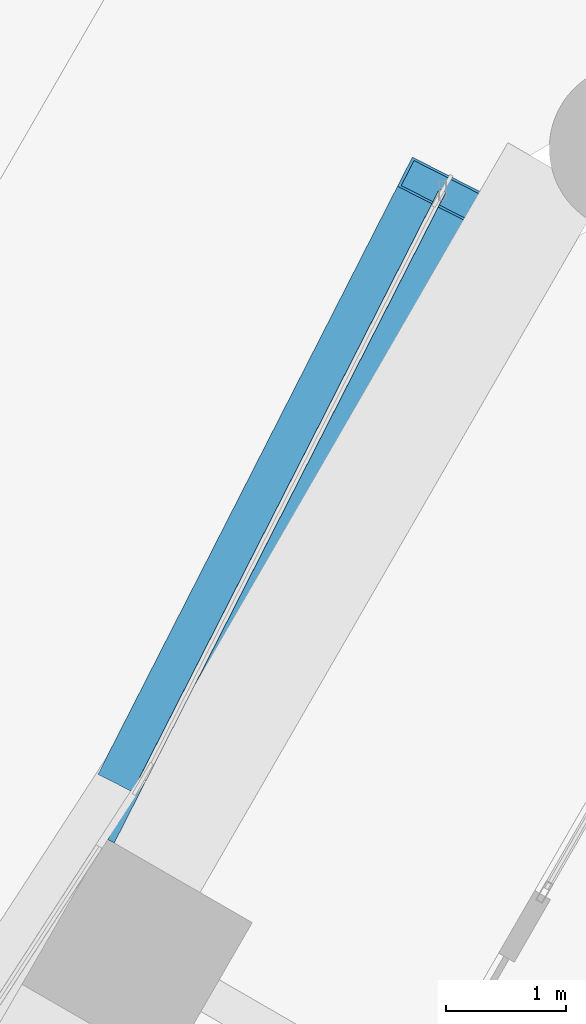
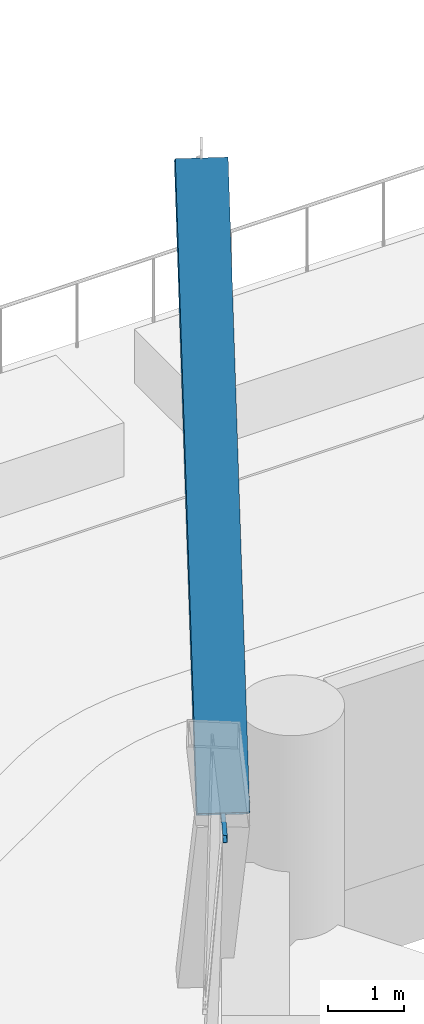
# One storey, part 40 of 71: 2 members, 1 element without a shape of its own.
"""IFC4 building model written with IfcOpenShell, lengths in metres."""

from ifc_helpers import new_model, si_unit, direction, frame, origin, origin_2d, place, context, subcontext, project, spatial, hollow_rectangle, extrude, material, material_profile, profile_set, type_object, element, aggregate, save


model = new_model("IFC4")

# Units and contexts
model_context = context("Model", 3, precision=1e-05, world=origin(), true_north=direction((0.0, 1.0)))
body_context = subcontext(model_context, "Body", "Model", "MODEL_VIEW")
ifc_project = project(units=[si_unit("LENGTHUNIT", "METRE"), si_unit("AREAUNIT", "SQUARE_METRE"), si_unit("VOLUMEUNIT", "CUBIC_METRE"), si_unit("PLANEANGLEUNIT", "RADIAN"), si_unit("MASSUNIT", "GRAM", prefix="KILO")], contexts=[model_context])

# Site, building, storey
site_placement = place(None, origin())
site = spatial("IfcSite", under=ifc_project, at=site_placement, CompositionType="ELEMENT")
building_placement = place(site_placement, origin())
building = spatial("IfcBuilding", under=site, at=building_placement, Name="Ostrander Bayou Hotel Tower", CompositionType="ELEMENT")
storey_placement = place(building_placement, frame((0.0, 0.0, 10.0)))
storey = spatial("IfcBuildingStorey", under=building, at=storey_placement, Name="L02", CompositionType="ELEMENT", Elevation=10.0)

# Curtain wall, member
ifc_material_1 = material(Name="Aluminium and clear glass", Category="aluminium")
curtain_wall_type = type_object("IfcCurtainWallType", Name="CW-LAT lattice glazing", PredefinedType="NOTDEFINED", material=ifc_material_1)
curtain_wall_placement = place(storey_placement, origin())
curtain_wall = element("IfcCurtainWall", 1, at=curtain_wall_placement, inside=storey, type_object=curtain_wall_type, Name="CW-LAT L02 NW 2", PredefinedType="NOTDEFINED")
ifc_material_2 = material(Name="Aluminium", Category="aluminium")
ifc_material_profile_1 = material_profile(ifc_material_2, hollow_rectangle(XDim=0.06005859375, YDim=0.1201171875, WallThickness=0.00390625, at=origin_2d()))
ifc_profile_set_1 = profile_set([ifc_material_profile_1], Name="Aluminium")
member_type_1 = type_object("IfcMemberType", Name="CW-LA transom 60 x 120 mm", PredefinedType="USERDEFINED", material=ifc_profile_set_1)
member_1_placement = place(storey_placement, frame((-13.637939453125, 20.5185546875, 6.14990234375), z_axis=(-0.45398127214, -0.891011225825, 0.0), x_axis=(0.891011225825, -0.45398127214, 0.0)))
member_1 = element("IfcMember", 2, at=member_1_placement, type_object=member_type_1, Name="CW-LAT transom 3", ObjectType="TRANSOM", PredefinedType="USERDEFINED", context=body_context, shape_type="SweptSolid", body=[
    extrude(hollow_rectangle(XDim=0.06005859375, YDim=0.1201171875, WallThickness=0.00390625, at=origin_2d()), origin(), (0.0, 0.0, 1.0), 6.0634765625),
])
aggregate(curtain_wall, [member_1])

# Member
ifc_material_3 = material(Name="Steel ASTM A572 Gr 50", Category="steel")
ifc_material_profile_2 = material_profile(ifc_material_3, hollow_rectangle(XDim=0.699951171875, YDim=0.35009765625, WallThickness=0.02490234375, at=origin_2d()))
ifc_profile_set_2 = profile_set([ifc_material_profile_2], Name="Steel ASTM A572 Gr 50")
member_type_2 = type_object("IfcMemberType", Name="LT1 lattice member box 700 x 350 x 25 mm", PredefinedType="BRACE", material=ifc_profile_set_2)
member_2_placement = place(storey_placement, frame((-16.126953125, 15.63330078125, 6.14990234375), z_axis=(0.286219486036, 0.561770663617, 0.776203663553), x_axis=(-0.891017407703, 0.453969139007, 0.0)))
element("IfcMember", 3, at=member_2_placement, inside=storey, type_object=member_type_2, Name="LT1 L02 NW 2", PredefinedType="BRACE", context=body_context, shape_type="SweptSolid", body=[
    extrude(hollow_rectangle(XDim=0.699951171875, YDim=0.35009765625, WallThickness=0.02490234375, at=origin_2d()), origin(), (0.0, 0.0, 1.0), 8.6962890625),
])

save(model, "model.ifc")
